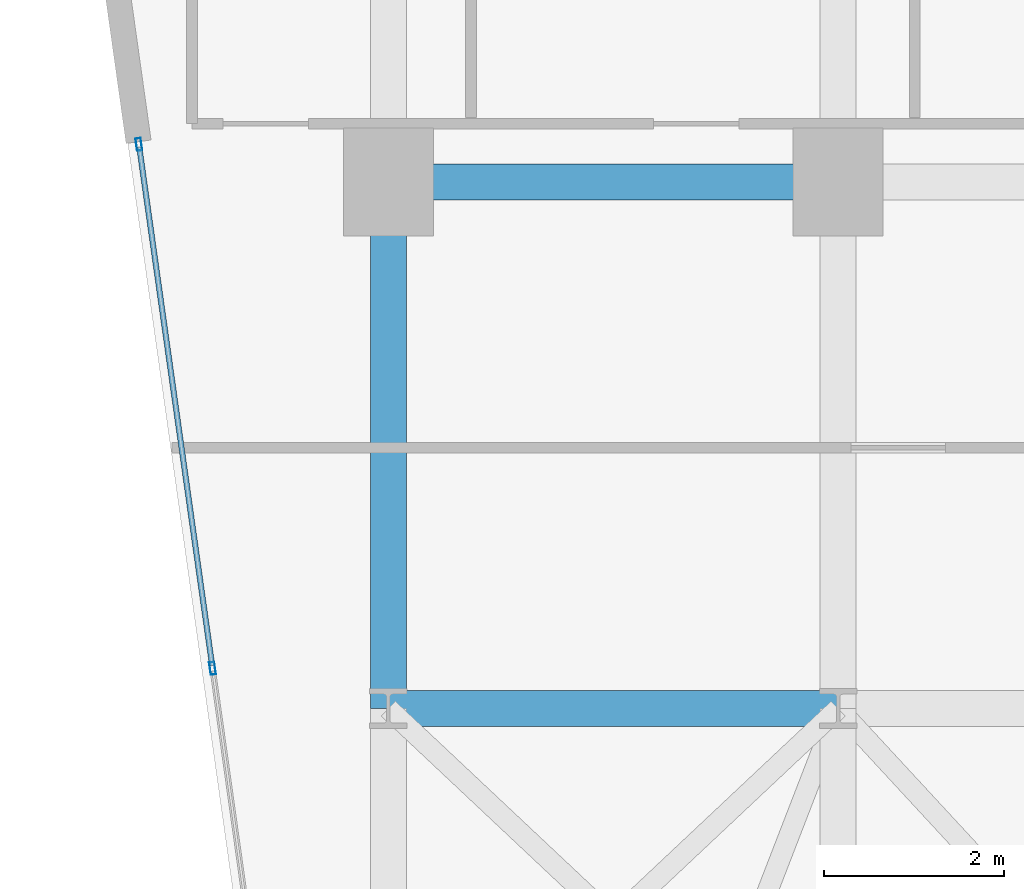
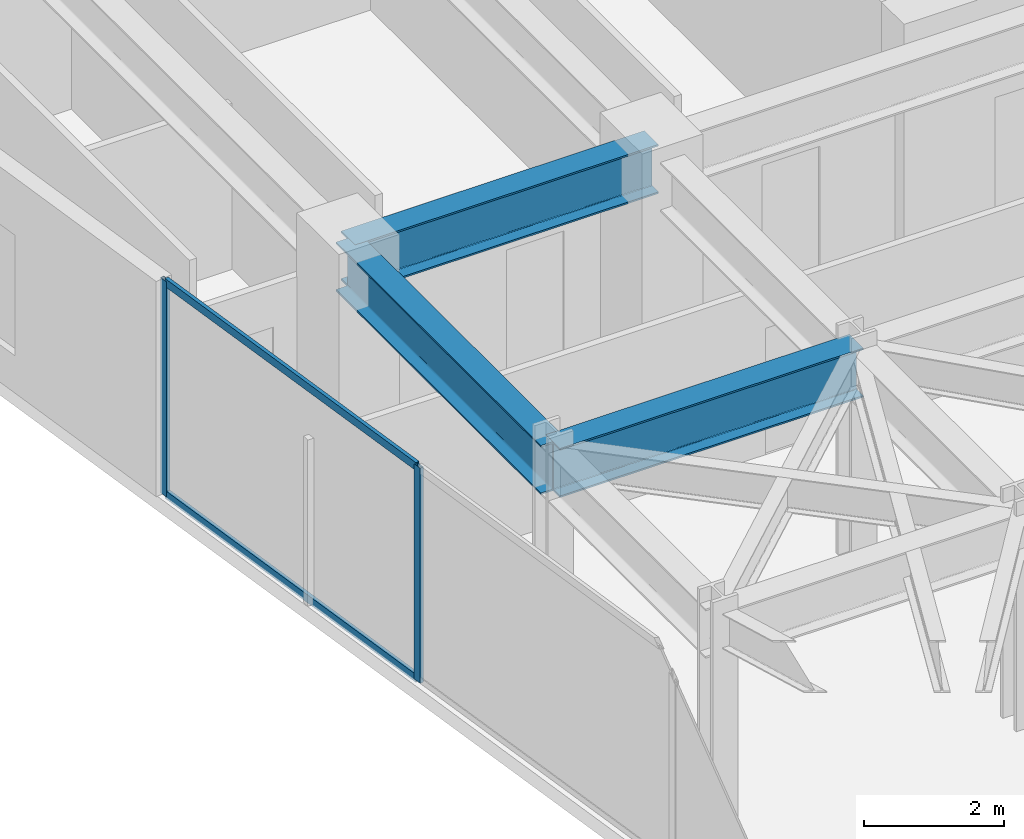
# One storey, part 11 of 26: 4 members, 3 beams, 1 element without a shape of its own.
"""IFC4 building model written with IfcOpenShell, lengths in metres."""

from ifc_helpers import new_model, si_unit, direction, frame, origin, origin_2d, place, context, subcontext, project, spatial, hollow_rectangle, i_section, extrude, material, layer, layer_set, material_profile, profile_set, type_object, element, aggregate, save


model = new_model("IFC4")

# Units and contexts
model_context = context("Model", 3, precision=1e-05, world=origin(), true_north=direction((0.0, 1.0)))
body_context = subcontext(model_context, "Body", "Model", "MODEL_VIEW")
ifc_project = project(units=[si_unit("LENGTHUNIT", "METRE"), si_unit("AREAUNIT", "SQUARE_METRE"), si_unit("VOLUMEUNIT", "CUBIC_METRE"), si_unit("PLANEANGLEUNIT", "RADIAN"), si_unit("MASSUNIT", "GRAM", prefix="KILO")], contexts=[model_context])

# Site, building, storey
site_placement = place(None, origin())
site = spatial("IfcSite", under=ifc_project, at=site_placement, CompositionType="ELEMENT")
building_placement = place(site_placement, origin())
building = spatial("IfcBuilding", under=site, at=building_placement, Name="Kravanh Interchange Tower", CompositionType="ELEMENT")
storey_placement = place(building_placement, frame((0.0, 0.0, 144.0)))
storey = spatial("IfcBuildingStorey", under=building, at=storey_placement, Name="L34", CompositionType="ELEMENT", Elevation=144.0)

# Curtain wall, members
ifc_material_1 = material(Name="Anodised Bronze Aluminium", Category="aluminium")
ifc_layer = layer(ifc_material_1, 0.179931640625)
ifc_layer_set = layer_set([ifc_layer], Name="Unitised Curtain Wall System CW-Z2 Mid Office")
curtain_wall_type = type_object("IfcCurtainWallType", Name="Unitised Curtain Wall System CW-Z2 Mid Office", PredefinedType="NOTDEFINED", material=ifc_layer_set)
curtain_wall_placement = place(storey_placement, origin())
curtain_wall = element("IfcCurtainWall", 1, at=curtain_wall_placement, inside=storey, type_object=curtain_wall_type, Name="L34 Unitised Curtain Wall CW-L34-01", PredefinedType="NOTDEFINED")
ifc_material_2 = material(Name="Anodised Bronze Aluminium", Category="aluminium")
ifc_material_profile_1 = material_profile(ifc_material_2, hollow_rectangle(XDim=0.06005859375, YDim=0.139892578125, WallThickness=0.00390625, at=origin_2d()), Name="ALU60X140X4")
ifc_profile_set_1 = profile_set([ifc_material_profile_1], Name="Anodised Bronze Aluminium")
member_type_1 = type_object("IfcMemberType", Name="Curtain Wall Mullion ALU60X140X4 Bronze", PredefinedType="MULLION", material=ifc_profile_set_1)
member_1_placement = place(storey_placement, frame((11.6474609375, 31.94775390625, 0.0), z_axis=(0.0, 0.0, 1.0), x_axis=(-0.990268103846, -0.13917285118, 0.0)))
member_1 = element("IfcMember", 2, at=member_1_placement, type_object=member_type_1, Name="CW-Z2 mullion 5", PredefinedType="MULLION", context=body_context, shape_type="SweptSolid", body=[
    extrude(hollow_rectangle(XDim=0.06005859375, YDim=0.139892578125, WallThickness=0.00390625, at=origin_2d()), origin(), (0.0, 0.0, 1.0), 3.75),
])
member_2_placement = place(storey_placement, frame((10.8291015625, 37.770263671875, 0.0), z_axis=(0.0, 0.0, 1.0), x_axis=(-0.990268103846, -0.13917285118, 0.0)))
member_2 = element("IfcMember", 3, at=member_2_placement, type_object=member_type_1, Name="CW-Z2 mullion 6", PredefinedType="MULLION", context=body_context, shape_type="SweptSolid", body=[
    extrude(hollow_rectangle(XDim=0.06005859375, YDim=0.139892578125, WallThickness=0.00390625, at=origin_2d()), origin(), (0.0, 0.0, 1.0), 3.75),
])
ifc_material_3 = material(Name="Anodised Bronze Aluminium", Category="aluminium")
ifc_material_profile_2 = material_profile(ifc_material_3, hollow_rectangle(XDim=0.06005859375, YDim=0.139892578125, WallThickness=0.00390625, at=origin_2d()), Name="ALU60X140X4")
ifc_profile_set_2 = profile_set([ifc_material_profile_2], Name="Anodised Bronze Aluminium")
member_type_2 = type_object("IfcMemberType", Name="Curtain Wall Transom ALU60X140X4 Bronze", PredefinedType="USERDEFINED", material=ifc_profile_set_2)
member_3_placement = place(storey_placement, frame((11.643310546875, 31.9775390625, 0.030029296875), z_axis=(-0.139195052528, 0.990264983402, 0.0), x_axis=(-0.990264983402, -0.139195052528, 0.0)))
member_3 = element("IfcMember", 4, at=member_3_placement, type_object=member_type_2, Name="CW-Z2 transom 5.1", ObjectType="TRANSOM", PredefinedType="USERDEFINED", context=body_context, shape_type="SweptSolid", body=[
    extrude(hollow_rectangle(XDim=0.06005859375, YDim=0.139892578125, WallThickness=0.00390625, at=origin_2d()), origin(), (0.0, 0.0, 1.0), 5.819580078125),
])
member_4_placement = place(storey_placement, frame((11.643310546875, 31.9775390625, 3.719970703125), z_axis=(-0.139195052528, 0.990264983402, 0.0), x_axis=(-0.990264983402, -0.139195052528, 0.0)))
member_4 = element("IfcMember", 5, at=member_4_placement, type_object=member_type_2, Name="CW-Z2 transom 5.2", ObjectType="TRANSOM", PredefinedType="USERDEFINED", context=body_context, shape_type="SweptSolid", body=[
    extrude(hollow_rectangle(XDim=0.06005859375, YDim=0.139892578125, WallThickness=0.00390625, at=origin_2d()), origin(), (0.0, 0.0, 1.0), 5.819580078125),
])
aggregate(curtain_wall, [member_1, member_2, member_3, member_4])

# Beams
ifc_material_4 = material(Name="Structural Steel S355", Category="steel")
ifc_material_profile_3 = material_profile(ifc_material_4, i_section(OverallWidth=0.39990234375, OverallDepth=0.85595703125, WebThickness=0.018310546875, FlangeThickness=0.029296875, FilletRadius=0.02490234375, at=origin_2d()), Name="W33X201")
ifc_profile_set_3 = profile_set([ifc_material_profile_3], Name="Structural Steel S355")
beam_type = type_object("IfcBeamType", Name="Floor Beam W33X201 Structural Steel S355", PredefinedType="BEAM", material=ifc_profile_set_3)
beam_1_placement = place(storey_placement, frame((18.60009765625, 37.35009765625, 3.322021484375), z_axis=(-1.0, 0.0, 0.0), x_axis=(0.0, -1.0, 0.0)))
element("IfcBeam", 6, at=beam_1_placement, inside=storey, type_object=beam_type, Name="L34 Primary Floor Girder 28", PredefinedType="BEAM", context=body_context, shape_type="SweptSolid", body=[
    extrude(i_section(OverallWidth=0.39990234375, OverallDepth=0.85595703125, WebThickness=0.018310546875, FlangeThickness=0.029296875, FilletRadius=0.02490234375, at=origin_2d()), origin(), (0.0, 0.0, 1.0), 5.0),
])
beam_2_placement = place(storey_placement, frame((13.60009765625, 37.35009765625, 3.322021484375), z_axis=(0.0, -1.0, 0.0), x_axis=(1.0, 0.0, 0.0)))
element("IfcBeam", 7, at=beam_2_placement, inside=storey, type_object=beam_type, Name="L34 Primary Floor Girder 32", PredefinedType="BEAM", context=body_context, shape_type="SweptSolid", body=[
    extrude(i_section(OverallWidth=0.39990234375, OverallDepth=0.85595703125, WebThickness=0.018310546875, FlangeThickness=0.029296875, FilletRadius=0.02490234375, at=origin_2d()), origin(), (0.0, 0.0, 1.0), 5.85009765625),
])
beam_3_placement = place(storey_placement, frame((13.60009765625, 31.5, 3.322021484375), z_axis=(1.0, 0.0, 0.0), x_axis=(0.0, 1.0, 0.0)))
element("IfcBeam", 8, at=beam_3_placement, inside=storey, type_object=beam_type, Name="L34 Primary Floor Girder 69", PredefinedType="BEAM", context=body_context, shape_type="SweptSolid", body=[
    extrude(i_section(OverallWidth=0.39990234375, OverallDepth=0.85595703125, WebThickness=0.018310546875, FlangeThickness=0.029296875, FilletRadius=0.02490234375, at=origin_2d()), origin(), (0.0, 0.0, 1.0), 5.0),
])

save(model, "model.ifc")
